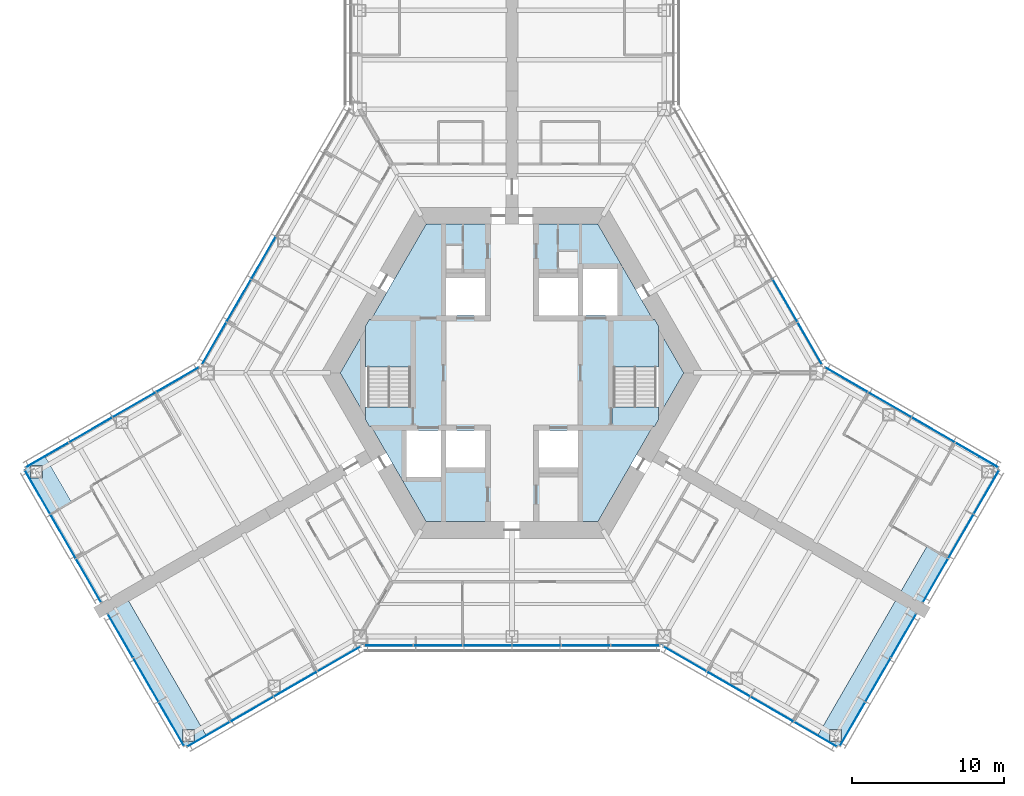
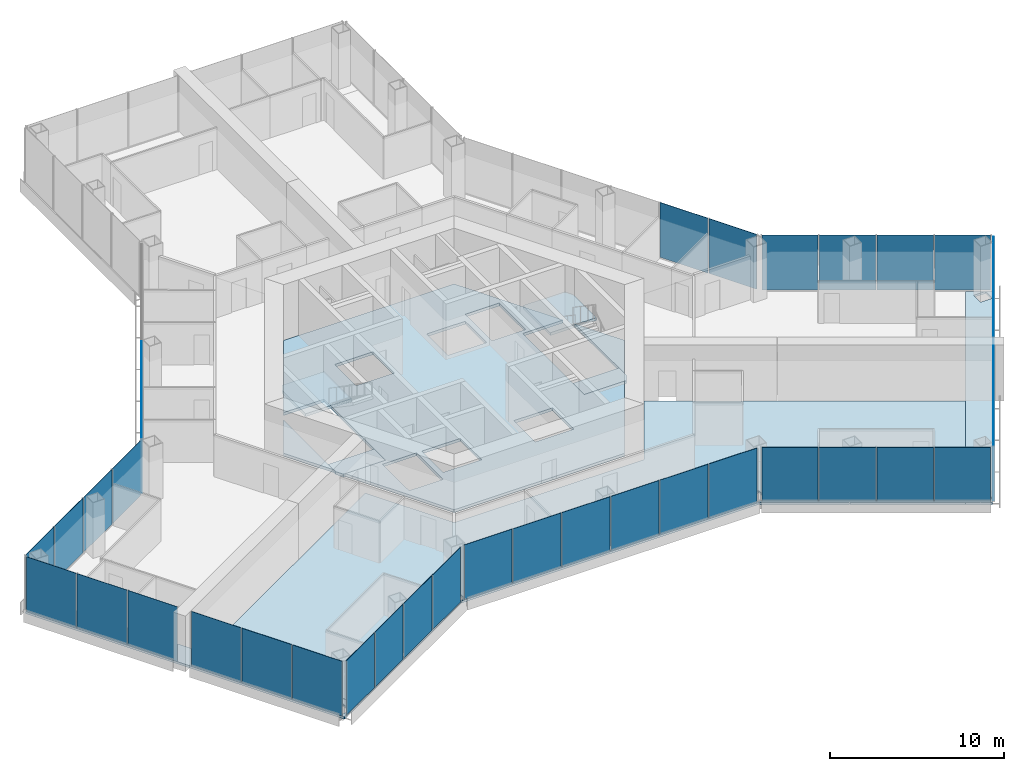
# One storey, part 10 of 19: 39 plates, 10 slabs, 13 elements without a shape of their own.
"""IFC4 building model written with IfcOpenShell, lengths in metres."""

from ifc_helpers import new_model, si_unit, direction, frame, origin, origin_2d, place, context, subcontext, project, spatial, polyline, rectangle, outline, extrude, material, layer, layer_set, type_object, element, aggregate, save


model = new_model("IFC4")

# Units and contexts
model_context = context("Model", 3, precision=1e-05, world=origin(), true_north=direction((0.0, 1.0)))
body_context = subcontext(model_context, "Body", "Model", "MODEL_VIEW")
ifc_project = project(units=[si_unit("LENGTHUNIT", "METRE"), si_unit("AREAUNIT", "SQUARE_METRE"), si_unit("VOLUMEUNIT", "CUBIC_METRE"), si_unit("PLANEANGLEUNIT", "RADIAN"), si_unit("MASSUNIT", "GRAM", prefix="KILO")], contexts=[model_context])

# Site, building, storey
site_placement = place(None, origin())
site = spatial("IfcSite", under=ifc_project, at=site_placement, CompositionType="ELEMENT")
building_placement = place(site_placement, origin())
building = spatial("IfcBuilding", under=site, at=building_placement, Name="Kasaneha Research Tower", CompositionType="ELEMENT")
storey_placement = place(building_placement, frame((0.0, 0.0, 100.199951171875)))
storey = spatial("IfcBuildingStorey", under=building, at=storey_placement, Name="L25", CompositionType="ELEMENT", Elevation=100.199951171875)

# Curtain wall, plates
ifc_material_1 = material(Name="Glass and aluminium", Category="aluminium")
curtain_wall_type = type_object("IfcCurtainWallType", Name="Low-rise office curtain wall", PredefinedType="USERDEFINED", material=ifc_material_1)
curtain_wall_1_placement = place(storey_placement, origin())
curtain_wall_1 = element("IfcCurtainWall", 1, at=curtain_wall_1_placement, inside=storey, type_object=curtain_wall_type, Name="CW-O1 L25 run 01a", ObjectType="UNITISED CURTAIN WALL", PredefinedType="USERDEFINED")
ifc_material_2 = material(Name="Laminated double glazing", Category="glass")
ifc_layer_1 = layer(ifc_material_2, 0.028076171875)
ifc_layer_set_1 = layer_set([ifc_layer_1], Name="CW-O1 glazed panel")
plate_type = type_object("IfcPlateType", Name="CW-O1 glazed panel", PredefinedType="CURTAIN_PANEL", material=ifc_layer_set_1)
plate_1_placement = place(storey_placement, frame((-19.945068359375, -23.755126953125, 0.06005859375), z_axis=(0.0, 0.0, 1.0), x_axis=(0.866025411464, 0.499999986699, 0.0)))
plate_1 = element("IfcPlate", 2, at=plate_1_placement, type_object=plate_type, Name="CW-O1 panel 1", PredefinedType="CURTAIN_PANEL", context=body_context, shape_type="SweptSolid", body=[
    extrude(rectangle(XDim=3.2197265625, YDim=0.028076171875, at=origin_2d()), origin(), (0.0, 0.0, 1.0), 3.840087890625),
])
plate_2_placement = place(storey_placement, frame((-17.091796875, -22.107666015625, 0.06005859375), z_axis=(0.0, 0.0, 1.0), x_axis=(0.866025411464, 0.499999986699, 0.0)))
plate_2 = element("IfcPlate", 3, at=plate_2_placement, type_object=plate_type, Name="CW-O1 panel 2", PredefinedType="CURTAIN_PANEL", context=body_context, shape_type="SweptSolid", body=[
    extrude(rectangle(XDim=3.249755859375, YDim=0.028076171875, at=origin_2d()), origin(), (0.0, 0.0, 1.0), 3.840087890625),
])
plate_3_placement = place(storey_placement, frame((-14.225341796875, -20.452880859375, 0.06005859375), z_axis=(0.0, 0.0, 1.0), x_axis=(0.866025411464, 0.499999986699, 0.0)))
plate_3 = element("IfcPlate", 4, at=plate_3_placement, type_object=plate_type, Name="CW-O1 panel 3", PredefinedType="CURTAIN_PANEL", context=body_context, shape_type="SweptSolid", body=[
    extrude(rectangle(XDim=3.249755859375, YDim=0.028076171875, at=origin_2d()), origin(), (0.0, 0.0, 1.0), 3.840087890625),
])
plate_4_placement = place(storey_placement, frame((-11.3720703125, -18.805419921875, 0.06005859375), z_axis=(0.0, 0.0, 1.0), x_axis=(0.866025411464, 0.499999986699, 0.0)))
plate_4 = element("IfcPlate", 5, at=plate_4_placement, type_object=plate_type, Name="CW-O1 panel 4", PredefinedType="CURTAIN_PANEL", context=body_context, shape_type="SweptSolid", body=[
    extrude(rectangle(XDim=3.2197265625, YDim=0.028076171875, at=origin_2d()), origin(), (0.0, 0.0, 1.0), 3.840087890625),
])
aggregate(curtain_wall_1, [plate_1, plate_2, plate_3, plate_4])

curtain_wall_2_placement = place(storey_placement, origin())
curtain_wall_2 = element("IfcCurtainWall", 6, at=curtain_wall_2_placement, inside=storey, type_object=curtain_wall_type, Name="CW-O1 L25 run 02a", ObjectType="UNITISED CURTAIN WALL", PredefinedType="USERDEFINED")
plate_5_placement = place(storey_placement, frame((-8.10107421875, -17.92041015625, 0.06005859375), z_axis=(0.0, 0.0, 1.0), x_axis=(1.0, 0.0, 0.0)))
plate_5 = element("IfcPlate", 7, at=plate_5_placement, type_object=plate_type, Name="CW-O1 panel 1", PredefinedType="CURTAIN_PANEL", context=body_context, shape_type="SweptSolid", body=[
    extrude(rectangle(XDim=3.156494140625, YDim=0.028076171875, at=origin_2d()), origin(), (0.0, 0.0, 1.0), 3.840087890625),
])
plate_6_placement = place(storey_placement, frame((-4.86962890625, -17.92041015625, 0.06005859375), z_axis=(0.0, 0.0, 1.0), x_axis=(1.0, 0.0, 0.0)))
plate_6 = element("IfcPlate", 8, at=plate_6_placement, type_object=plate_type, Name="CW-O1 panel 2", PredefinedType="CURTAIN_PANEL", context=body_context, shape_type="SweptSolid", body=[
    extrude(rectangle(XDim=3.1865234375, YDim=0.028076171875, at=origin_2d()), origin(), (0.0, 0.0, 1.0), 3.840087890625),
])
plate_7_placement = place(storey_placement, frame((-1.623291015625, -17.92041015625, 0.06005859375), z_axis=(0.0, 0.0, 1.0), x_axis=(1.0, 0.0, 0.0)))
plate_7 = element("IfcPlate", 9, at=plate_7_placement, type_object=plate_type, Name="CW-O1 panel 3", PredefinedType="CURTAIN_PANEL", context=body_context, shape_type="SweptSolid", body=[
    extrude(rectangle(XDim=3.1865234375, YDim=0.028076171875, at=origin_2d()), origin(), (0.0, 0.0, 1.0), 3.840087890625),
])
plate_8_placement = place(storey_placement, frame((1.623291015625, -17.92041015625, 0.06005859375), z_axis=(0.0, 0.0, 1.0), x_axis=(1.0, 0.0, 0.0)))
plate_8 = element("IfcPlate", 10, at=plate_8_placement, type_object=plate_type, Name="CW-O1 panel 4", PredefinedType="CURTAIN_PANEL", context=body_context, shape_type="SweptSolid", body=[
    extrude(rectangle(XDim=3.1865234375, YDim=0.028076171875, at=origin_2d()), origin(), (0.0, 0.0, 1.0), 3.840087890625),
])
plate_9_placement = place(storey_placement, frame((4.86962890625, -17.92041015625, 0.06005859375), z_axis=(0.0, 0.0, 1.0), x_axis=(1.0, 0.0, 0.0)))
plate_9 = element("IfcPlate", 11, at=plate_9_placement, type_object=plate_type, Name="CW-O1 panel 5", PredefinedType="CURTAIN_PANEL", context=body_context, shape_type="SweptSolid", body=[
    extrude(rectangle(XDim=3.1865234375, YDim=0.028076171875, at=origin_2d()), origin(), (0.0, 0.0, 1.0), 3.840087890625),
])
plate_10_placement = place(storey_placement, frame((8.10107421875, -17.92041015625, 0.06005859375), z_axis=(0.0, 0.0, 1.0), x_axis=(1.0, 0.0, 0.0)))
plate_10 = element("IfcPlate", 12, at=plate_10_placement, type_object=plate_type, Name="CW-O1 panel 6", PredefinedType="CURTAIN_PANEL", context=body_context, shape_type="SweptSolid", body=[
    extrude(rectangle(XDim=3.156494140625, YDim=0.028076171875, at=origin_2d()), origin(), (0.0, 0.0, 1.0), 3.840087890625),
])
aggregate(curtain_wall_2, [plate_5, plate_6, plate_7, plate_8, plate_9, plate_10])

curtain_wall_3_placement = place(storey_placement, origin())
curtain_wall_3 = element("IfcCurtainWall", 13, at=curtain_wall_3_placement, inside=storey, type_object=curtain_wall_type, Name="CW-O1 L25 run 03a", ObjectType="UNITISED CURTAIN WALL", PredefinedType="USERDEFINED")
plate_11_placement = place(storey_placement, frame((11.3720703125, -18.805419921875, 0.06005859375), z_axis=(0.0, 0.0, 1.0), x_axis=(0.866025411464, -0.499999986699, 0.0)))
plate_11 = element("IfcPlate", 14, at=plate_11_placement, type_object=plate_type, Name="CW-O1 panel 1", PredefinedType="CURTAIN_PANEL", context=body_context, shape_type="SweptSolid", body=[
    extrude(rectangle(XDim=3.2197265625, YDim=0.028076171875, at=origin_2d()), origin(), (0.0, 0.0, 1.0), 3.840087890625),
])
plate_12_placement = place(storey_placement, frame((14.225341796875, -20.452880859375, 0.06005859375), z_axis=(0.0, 0.0, 1.0), x_axis=(0.866025411464, -0.499999986699, 0.0)))
plate_12 = element("IfcPlate", 15, at=plate_12_placement, type_object=plate_type, Name="CW-O1 panel 2", PredefinedType="CURTAIN_PANEL", context=body_context, shape_type="SweptSolid", body=[
    extrude(rectangle(XDim=3.249755859375, YDim=0.028076171875, at=origin_2d()), origin(), (0.0, 0.0, 1.0), 3.840087890625),
])
plate_13_placement = place(storey_placement, frame((17.091796875, -22.107666015625, 0.06005859375), z_axis=(0.0, 0.0, 1.0), x_axis=(0.866025411464, -0.499999986699, 0.0)))
plate_13 = element("IfcPlate", 16, at=plate_13_placement, type_object=plate_type, Name="CW-O1 panel 3", PredefinedType="CURTAIN_PANEL", context=body_context, shape_type="SweptSolid", body=[
    extrude(rectangle(XDim=3.249755859375, YDim=0.028076171875, at=origin_2d()), origin(), (0.0, 0.0, 1.0), 3.840087890625),
])
plate_14_placement = place(storey_placement, frame((19.945068359375, -23.755126953125, 0.06005859375), z_axis=(0.0, 0.0, 1.0), x_axis=(0.866025411464, -0.499999986699, 0.0)))
plate_14 = element("IfcPlate", 17, at=plate_14_placement, type_object=plate_type, Name="CW-O1 panel 4", PredefinedType="CURTAIN_PANEL", context=body_context, shape_type="SweptSolid", body=[
    extrude(rectangle(XDim=3.2197265625, YDim=0.028076171875, at=origin_2d()), origin(), (0.0, 0.0, 1.0), 3.840087890625),
])
aggregate(curtain_wall_3, [plate_11, plate_12, plate_13, plate_14])

curtain_wall_4_placement = place(storey_placement, origin())
curtain_wall_4 = element("IfcCurtainWall", 18, at=curtain_wall_4_placement, inside=storey, type_object=curtain_wall_type, Name="CW-O1 L25 run 04a", ObjectType="UNITISED CURTAIN WALL", PredefinedType="USERDEFINED")
plate_15_placement = place(storey_placement, frame((22.377197265625, -23.082763671875, 0.06005859375), z_axis=(0.0, 0.0, 1.0), x_axis=(0.500000011442, 0.866025397178, 0.0)))
plate_15 = element("IfcPlate", 19, at=plate_15_placement, type_object=plate_type, Name="CW-O1 panel 1", PredefinedType="CURTAIN_PANEL", context=body_context, shape_type="SweptSolid", body=[
    extrude(rectangle(XDim=3.276611328125, YDim=0.028076171875, at=origin_2d()), origin(), (0.0, 0.0, 1.0), 3.840087890625),
])
plate_16_placement = place(storey_placement, frame((24.052978515625, -20.18017578125, 0.06005859375), z_axis=(0.0, 0.0, 1.0), x_axis=(0.500000011442, 0.866025397178, 0.0)))
plate_16 = element("IfcPlate", 20, at=plate_16_placement, type_object=plate_type, Name="CW-O1 panel 2", PredefinedType="CURTAIN_PANEL", context=body_context, shape_type="SweptSolid", body=[
    extrude(rectangle(XDim=3.306640625, YDim=0.028076171875, at=origin_2d()), origin(), (0.0, 0.0, 1.0), 3.840087890625),
])
plate_17_placement = place(storey_placement, frame((25.728759765625, -17.27734375, 0.06005859375), z_axis=(0.0, 0.0, 1.0), x_axis=(0.500000011442, 0.866025397178, 0.0)))
plate_17 = element("IfcPlate", 21, at=plate_17_placement, type_object=plate_type, Name="CW-O1 panel 3", PredefinedType="CURTAIN_PANEL", context=body_context, shape_type="SweptSolid", body=[
    extrude(rectangle(XDim=3.276611328125, YDim=0.028076171875, at=origin_2d()), origin(), (0.0, 0.0, 1.0), 3.840087890625),
])
aggregate(curtain_wall_4, [plate_15, plate_16, plate_17])

curtain_wall_5_placement = place(storey_placement, origin())
curtain_wall_5 = element("IfcCurtainWall", 22, at=curtain_wall_5_placement, inside=storey, type_object=curtain_wall_type, Name="CW-O1 L25 run 05a", ObjectType="UNITISED CURTAIN WALL", PredefinedType="USERDEFINED")
plate_18_placement = place(storey_placement, frame((27.8271484375, -13.64306640625, 0.06005859375), z_axis=(0.0, 0.0, 1.0), x_axis=(0.500000011442, 0.866025397178, 0.0)))
plate_18 = element("IfcPlate", 23, at=plate_18_placement, type_object=plate_type, Name="CW-O1 panel 1", PredefinedType="CURTAIN_PANEL", context=body_context, shape_type="SweptSolid", body=[
    extrude(rectangle(XDim=3.276611328125, YDim=0.028076171875, at=origin_2d()), origin(), (0.0, 0.0, 1.0), 3.840087890625),
])
plate_19_placement = place(storey_placement, frame((29.5029296875, -10.740478515625, 0.06005859375), z_axis=(0.0, 0.0, 1.0), x_axis=(0.500000011442, 0.866025397178, 0.0)))
plate_19 = element("IfcPlate", 24, at=plate_19_placement, type_object=plate_type, Name="CW-O1 panel 2", PredefinedType="CURTAIN_PANEL", context=body_context, shape_type="SweptSolid", body=[
    extrude(rectangle(XDim=3.306640625, YDim=0.028076171875, at=origin_2d()), origin(), (0.0, 0.0, 1.0), 3.840087890625),
])
plate_20_placement = place(storey_placement, frame((31.1787109375, -7.837890625, 0.06005859375), z_axis=(0.0, 0.0, 1.0), x_axis=(0.500000011442, 0.866025397178, 0.0)))
plate_20 = element("IfcPlate", 25, at=plate_20_placement, type_object=plate_type, Name="CW-O1 panel 3", PredefinedType="CURTAIN_PANEL", context=body_context, shape_type="SweptSolid", body=[
    extrude(rectangle(XDim=3.276611328125, YDim=0.028076171875, at=origin_2d()), origin(), (0.0, 0.0, 1.0), 3.840087890625),
])
aggregate(curtain_wall_5, [plate_18, plate_19, plate_20])

curtain_wall_6_placement = place(storey_placement, origin())
curtain_wall_6 = element("IfcCurtainWall", 26, at=curtain_wall_6_placement, inside=storey, type_object=curtain_wall_type, Name="CW-O1 L25 run 06a", ObjectType="UNITISED CURTAIN WALL", PredefinedType="USERDEFINED")
plate_21_placement = place(storey_placement, frame((30.545166015625, -5.3955078125, 0.06005859375), z_axis=(0.0, 0.0, 1.0), x_axis=(-0.866025411464, 0.499999986699, 0.0)))
plate_21 = element("IfcPlate", 27, at=plate_21_placement, type_object=plate_type, Name="CW-O1 panel 1", PredefinedType="CURTAIN_PANEL", context=body_context, shape_type="SweptSolid", body=[
    extrude(rectangle(XDim=3.2197265625, YDim=0.028076171875, at=origin_2d()), origin(), (0.0, 0.0, 1.0), 3.840087890625),
])
plate_22_placement = place(storey_placement, frame((27.69189453125, -3.748046875, 0.06005859375), z_axis=(0.0, 0.0, 1.0), x_axis=(-0.866025411464, 0.499999986699, 0.0)))
plate_22 = element("IfcPlate", 28, at=plate_22_placement, type_object=plate_type, Name="CW-O1 panel 2", PredefinedType="CURTAIN_PANEL", context=body_context, shape_type="SweptSolid", body=[
    extrude(rectangle(XDim=3.249755859375, YDim=0.028076171875, at=origin_2d()), origin(), (0.0, 0.0, 1.0), 3.840087890625),
])
plate_23_placement = place(storey_placement, frame((24.825439453125, -2.093017578125, 0.06005859375), z_axis=(0.0, 0.0, 1.0), x_axis=(-0.866025411464, 0.499999986699, 0.0)))
plate_23 = element("IfcPlate", 29, at=plate_23_placement, type_object=plate_type, Name="CW-O1 panel 3", PredefinedType="CURTAIN_PANEL", context=body_context, shape_type="SweptSolid", body=[
    extrude(rectangle(XDim=3.249755859375, YDim=0.028076171875, at=origin_2d()), origin(), (0.0, 0.0, 1.0), 3.840087890625),
])
plate_24_placement = place(storey_placement, frame((21.971923828125, -0.44580078125, 0.06005859375), z_axis=(0.0, 0.0, 1.0), x_axis=(-0.866025411464, 0.499999986699, 0.0)))
plate_24 = element("IfcPlate", 30, at=plate_24_placement, type_object=plate_type, Name="CW-O1 panel 4", PredefinedType="CURTAIN_PANEL", context=body_context, shape_type="SweptSolid", body=[
    extrude(rectangle(XDim=3.2197265625, YDim=0.028076171875, at=origin_2d()), origin(), (0.0, 0.0, 1.0), 3.840087890625),
])
aggregate(curtain_wall_6, [plate_21, plate_22, plate_23, plate_24])

curtain_wall_7_placement = place(storey_placement, origin())
curtain_wall_7 = element("IfcCurtainWall", 31, at=curtain_wall_7_placement, inside=storey, type_object=curtain_wall_type, Name="CW-O1 L25 run 07a", ObjectType="UNITISED CURTAIN WALL", PredefinedType="USERDEFINED")
plate_25_placement = place(storey_placement, frame((19.570068359375, 1.944580078125, 0.06005859375), z_axis=(0.0, 0.0, 1.0), x_axis=(-0.49999996188, 0.866025425793, 0.0)))
plate_25 = element("IfcPlate", 32, at=plate_25_placement, type_object=plate_type, Name="CW-O1 panel 1", PredefinedType="CURTAIN_PANEL", context=body_context, shape_type="SweptSolid", body=[
    extrude(rectangle(XDim=3.156494140625, YDim=0.028076171875, at=origin_2d()), origin(), (0.0, 0.0, 1.0), 3.840087890625),
])
plate_26_placement = place(storey_placement, frame((17.954345703125, 4.7431640625, 0.06005859375), z_axis=(0.0, 0.0, 1.0), x_axis=(-0.49999996188, 0.866025425793, 0.0)))
plate_26 = element("IfcPlate", 33, at=plate_26_placement, type_object=plate_type, Name="CW-O1 panel 2", PredefinedType="CURTAIN_PANEL", context=body_context, shape_type="SweptSolid", body=[
    extrude(rectangle(XDim=3.1865234375, YDim=0.028076171875, at=origin_2d()), origin(), (0.0, 0.0, 1.0), 3.840087890625),
])
aggregate(curtain_wall_7, [plate_25, plate_26])

curtain_wall_8_placement = place(storey_placement, origin())
curtain_wall_8 = element("IfcCurtainWall", 34, at=curtain_wall_8_placement, inside=storey, type_object=curtain_wall_type, Name="CW-O1 L25 run 12a", ObjectType="UNITISED CURTAIN WALL", PredefinedType="USERDEFINED")
plate_27_placement = place(storey_placement, frame((-16.331298828125, 7.554443359375, 0.06005859375), z_axis=(0.0, 0.0, 1.0), x_axis=(-0.49999996188, -0.866025425793, 0.0)))
plate_27 = element("IfcPlate", 35, at=plate_27_placement, type_object=plate_type, Name="CW-O1 panel 4", PredefinedType="CURTAIN_PANEL", context=body_context, shape_type="SweptSolid", body=[
    extrude(rectangle(XDim=3.1865234375, YDim=0.028076171875, at=origin_2d()), origin(), (0.0, 0.0, 1.0), 3.840087890625),
])
plate_28_placement = place(storey_placement, frame((-17.954345703125, 4.7431640625, 0.06005859375), z_axis=(0.0, 0.0, 1.0), x_axis=(-0.49999996188, -0.866025425793, 0.0)))
plate_28 = element("IfcPlate", 36, at=plate_28_placement, type_object=plate_type, Name="CW-O1 panel 5", PredefinedType="CURTAIN_PANEL", context=body_context, shape_type="SweptSolid", body=[
    extrude(rectangle(XDim=3.1865234375, YDim=0.028076171875, at=origin_2d()), origin(), (0.0, 0.0, 1.0), 3.840087890625),
])
plate_29_placement = place(storey_placement, frame((-19.570068359375, 1.944580078125, 0.06005859375), z_axis=(0.0, 0.0, 1.0), x_axis=(-0.49999996188, -0.866025425793, 0.0)))
plate_29 = element("IfcPlate", 37, at=plate_29_placement, type_object=plate_type, Name="CW-O1 panel 6", PredefinedType="CURTAIN_PANEL", context=body_context, shape_type="SweptSolid", body=[
    extrude(rectangle(XDim=3.156494140625, YDim=0.028076171875, at=origin_2d()), origin(), (0.0, 0.0, 1.0), 3.840087890625),
])
aggregate(curtain_wall_8, [plate_27, plate_28, plate_29])

curtain_wall_9_placement = place(storey_placement, origin())
curtain_wall_9 = element("IfcCurtainWall", 38, at=curtain_wall_9_placement, inside=storey, type_object=curtain_wall_type, Name="CW-O1 L25 run 13a", ObjectType="UNITISED CURTAIN WALL", PredefinedType="USERDEFINED")
plate_30_placement = place(storey_placement, frame((-21.971923828125, -0.44580078125, 0.06005859375), z_axis=(0.0, 0.0, 1.0), x_axis=(-0.866025411464, -0.499999986699, 0.0)))
plate_30 = element("IfcPlate", 39, at=plate_30_placement, type_object=plate_type, Name="CW-O1 panel 1", PredefinedType="CURTAIN_PANEL", context=body_context, shape_type="SweptSolid", body=[
    extrude(rectangle(XDim=3.2197265625, YDim=0.028076171875, at=origin_2d()), origin(), (0.0, 0.0, 1.0), 3.840087890625),
])
plate_31_placement = place(storey_placement, frame((-24.825439453125, -2.093017578125, 0.06005859375), z_axis=(0.0, 0.0, 1.0), x_axis=(-0.866025411464, -0.499999986699, 0.0)))
plate_31 = element("IfcPlate", 40, at=plate_31_placement, type_object=plate_type, Name="CW-O1 panel 2", PredefinedType="CURTAIN_PANEL", context=body_context, shape_type="SweptSolid", body=[
    extrude(rectangle(XDim=3.249755859375, YDim=0.028076171875, at=origin_2d()), origin(), (0.0, 0.0, 1.0), 3.840087890625),
])
plate_32_placement = place(storey_placement, frame((-27.69189453125, -3.748046875, 0.06005859375), z_axis=(0.0, 0.0, 1.0), x_axis=(-0.866025411464, -0.499999986699, 0.0)))
plate_32 = element("IfcPlate", 41, at=plate_32_placement, type_object=plate_type, Name="CW-O1 panel 3", PredefinedType="CURTAIN_PANEL", context=body_context, shape_type="SweptSolid", body=[
    extrude(rectangle(XDim=3.249755859375, YDim=0.028076171875, at=origin_2d()), origin(), (0.0, 0.0, 1.0), 3.840087890625),
])
plate_33_placement = place(storey_placement, frame((-30.545166015625, -5.3955078125, 0.06005859375), z_axis=(0.0, 0.0, 1.0), x_axis=(-0.866025411464, -0.499999986699, 0.0)))
plate_33 = element("IfcPlate", 42, at=plate_33_placement, type_object=plate_type, Name="CW-O1 panel 4", PredefinedType="CURTAIN_PANEL", context=body_context, shape_type="SweptSolid", body=[
    extrude(rectangle(XDim=3.2197265625, YDim=0.028076171875, at=origin_2d()), origin(), (0.0, 0.0, 1.0), 3.840087890625),
])
aggregate(curtain_wall_9, [plate_30, plate_31, plate_32, plate_33])

curtain_wall_10_placement = place(storey_placement, origin())
curtain_wall_10 = element("IfcCurtainWall", 43, at=curtain_wall_10_placement, inside=storey, type_object=curtain_wall_type, Name="CW-O1 L25 run 14a", ObjectType="UNITISED CURTAIN WALL", PredefinedType="USERDEFINED")
plate_34_placement = place(storey_placement, frame((-31.1787109375, -7.837890625, 0.06005859375), z_axis=(0.0, 0.0, 1.0), x_axis=(0.500000011442, -0.866025397178, 0.0)))
plate_34 = element("IfcPlate", 44, at=plate_34_placement, type_object=plate_type, Name="CW-O1 panel 1", PredefinedType="CURTAIN_PANEL", context=body_context, shape_type="SweptSolid", body=[
    extrude(rectangle(XDim=3.276611328125, YDim=0.028076171875, at=origin_2d()), origin(), (0.0, 0.0, 1.0), 3.840087890625),
])
plate_35_placement = place(storey_placement, frame((-29.5029296875, -10.740478515625, 0.06005859375), z_axis=(0.0, 0.0, 1.0), x_axis=(0.500000011442, -0.866025397178, 0.0)))
plate_35 = element("IfcPlate", 45, at=plate_35_placement, type_object=plate_type, Name="CW-O1 panel 2", PredefinedType="CURTAIN_PANEL", context=body_context, shape_type="SweptSolid", body=[
    extrude(rectangle(XDim=3.306640625, YDim=0.028076171875, at=origin_2d()), origin(), (0.0, 0.0, 1.0), 3.840087890625),
])
plate_36_placement = place(storey_placement, frame((-27.8271484375, -13.64306640625, 0.06005859375), z_axis=(0.0, 0.0, 1.0), x_axis=(0.500000011442, -0.866025397178, 0.0)))
plate_36 = element("IfcPlate", 46, at=plate_36_placement, type_object=plate_type, Name="CW-O1 panel 3", PredefinedType="CURTAIN_PANEL", context=body_context, shape_type="SweptSolid", body=[
    extrude(rectangle(XDim=3.276611328125, YDim=0.028076171875, at=origin_2d()), origin(), (0.0, 0.0, 1.0), 3.840087890625),
])
aggregate(curtain_wall_10, [plate_34, plate_35, plate_36])

curtain_wall_11_placement = place(storey_placement, origin())
curtain_wall_11 = element("IfcCurtainWall", 47, at=curtain_wall_11_placement, inside=storey, type_object=curtain_wall_type, Name="CW-O1 L25 run 15a", ObjectType="UNITISED CURTAIN WALL", PredefinedType="USERDEFINED")
plate_37_placement = place(storey_placement, frame((-25.728759765625, -17.27734375, 0.06005859375), z_axis=(0.0, 0.0, 1.0), x_axis=(0.500000011442, -0.866025397178, 0.0)))
plate_37 = element("IfcPlate", 48, at=plate_37_placement, type_object=plate_type, Name="CW-O1 panel 1", PredefinedType="CURTAIN_PANEL", context=body_context, shape_type="SweptSolid", body=[
    extrude(rectangle(XDim=3.276611328125, YDim=0.028076171875, at=origin_2d()), origin(), (0.0, 0.0, 1.0), 3.840087890625),
])
plate_38_placement = place(storey_placement, frame((-24.052978515625, -20.18017578125, 0.06005859375), z_axis=(0.0, 0.0, 1.0), x_axis=(0.500000011442, -0.866025397178, 0.0)))
plate_38 = element("IfcPlate", 49, at=plate_38_placement, type_object=plate_type, Name="CW-O1 panel 2", PredefinedType="CURTAIN_PANEL", context=body_context, shape_type="SweptSolid", body=[
    extrude(rectangle(XDim=3.306640625, YDim=0.028076171875, at=origin_2d()), origin(), (0.0, 0.0, 1.0), 3.840087890625),
])
plate_39_placement = place(storey_placement, frame((-22.377197265625, -23.082763671875, 0.06005859375), z_axis=(0.0, 0.0, 1.0), x_axis=(0.500000011442, -0.866025397178, 0.0)))
plate_39 = element("IfcPlate", 50, at=plate_39_placement, type_object=plate_type, Name="CW-O1 panel 3", PredefinedType="CURTAIN_PANEL", context=body_context, shape_type="SweptSolid", body=[
    extrude(rectangle(XDim=3.276611328125, YDim=0.028076171875, at=origin_2d()), origin(), (0.0, 0.0, 1.0), 3.840087890625),
])
aggregate(curtain_wall_11, [plate_37, plate_38, plate_39])

# Slabs
ifc_material_3 = material(Name="Concrete Fc24", Category="concrete")
ifc_layer_2 = layer(ifc_material_3, 0.199951171875)
ifc_layer_set_2 = layer_set([ifc_layer_2], Name="Core floor slab 200")
slab_type_1 = type_object("IfcSlabType", Name="Core floor slab 200", PredefinedType="FLOOR", material=ifc_layer_set_2)
slab_1_placement = place(storey_placement, frame((0.0, 0.0, -0.199951171875)))
element("IfcSlab", 51, at=slab_1_placement, inside=storey, type_object=slab_type_1, Name="Core slab L25", PredefinedType="FLOOR", context=body_context, shape_type="SweptSolid", body=[
    extrude(outline(polyline([(-11.287109375, 0.0), (-9.625, 2.87890625), (-9.625, -2.87890625), (-11.287109375, 0.0)])), origin(), (0.0, 0.0, 1.0), 0.199951171875),
])
slab_2_placement = place(storey_placement, frame((0.0, 0.0, -0.199951171875)))
element("IfcSlab", 52, at=slab_2_placement, inside=storey, type_object=slab_type_1, Name="Core slab L25", PredefinedType="FLOOR", context=body_context, shape_type="SweptSolid", body=[
    extrude(outline(polyline([(-5.6435546875, 9.77490234375), (5.6435546875, 9.77490234375), (9.251953125, 3.52490234375), (6.574951171875, 3.52490234375), (6.574951171875, -3.52490234375), (9.251953125, -3.52490234375), (5.6435546875, -9.77490234375), (-5.6435546875, -9.77490234375), (-9.251953125, -3.52490234375), (-6.574951171875, -3.52490234375), (-6.574951171875, 3.52490234375), (-9.251953125, 3.52490234375), (-5.6435546875, 9.77490234375)]), holes=[polyline([(-6.925048828125, -3.77490234375), (-6.925048828125, -6.824951171875), (-4.675048828125, -6.824951171875), (-4.675048828125, -3.77490234375), (-6.925048828125, -3.77490234375)]), polyline([(-4.324951171875, -3.77490234375), (-4.324951171875, -6.22509765625), (-1.77490234375, -6.22509765625), (-1.77490234375, -3.77490234375), (-4.324951171875, -3.77490234375)]), polyline([(1.77490234375, -3.77490234375), (1.77490234375, -6.22509765625), (4.324951171875, -6.22509765625), (4.324951171875, -3.77490234375), (1.77490234375, -3.77490234375)]), polyline([(-4.324951171875, 6.22509765625), (-4.324951171875, 3.77490234375), (-1.77490234375, 3.77490234375), (-1.77490234375, 6.22509765625), (-4.324951171875, 6.22509765625)]), polyline([(1.77490234375, 6.22509765625), (1.77490234375, 3.77490234375), (4.324951171875, 3.77490234375), (4.324951171875, 6.22509765625), (1.77490234375, 6.22509765625)]), polyline([(4.675048828125, 6.824951171875), (4.675048828125, 3.77490234375), (6.925048828125, 3.77490234375), (6.925048828125, 6.824951171875), (4.675048828125, 6.824951171875)])]), origin(), (0.0, 0.0, 1.0), 0.199951171875),
])
slab_3_placement = place(storey_placement, frame((0.0, 0.0, -0.199951171875)))
element("IfcSlab", 53, at=slab_3_placement, inside=storey, type_object=slab_type_1, Name="Core slab L25", PredefinedType="FLOOR", context=body_context, shape_type="SweptSolid", body=[
    extrude(outline(polyline([(11.287109375, 0.0), (9.625, -2.87890625), (9.625, 2.87890625), (11.287109375, 0.0)])), origin(), (0.0, 0.0, 1.0), 0.199951171875),
])
ifc_material_4 = material(Name="Concrete Fc24", Category="concrete")
ifc_layer_3 = layer(ifc_material_4, 0.14990234375)
ifc_layer_set_3 = layer_set([ifc_layer_3], Name="Floor slab 150")
slab_type_2 = type_object("IfcSlabType", Name="Floor slab 150", PredefinedType="FLOOR", material=ifc_layer_set_3)
slab_4_placement = place(storey_placement, frame((0.0, 0.0, -0.14990234375)))
element("IfcSlab", 54, at=slab_4_placement, inside=storey, type_object=slab_type_2, Name="Floor slab L25 1", PredefinedType="FLOOR", context=body_context, shape_type="SweptSolid", body=[
    extrude(outline(polyline([(-25.1923828125, -15.006591796875), (-25.18359375, -15.001708984375), (-20.108642578125, -23.791748046875), (-21.459716796875, -24.57177734375), (-21.65576171875, -24.232177734375), (-21.644287109375, -24.220703125), (-20.858154296875, -24.220703125), (-20.858154296875, -23.42041015625), (-21.658447265625, -23.42041015625), (-21.658447265625, -24.20654296875), (-21.666015625, -24.214111328125), (-31.65576171875, -6.91162109375), (-31.644287109375, -6.900146484375), (-30.858154296875, -6.900146484375), (-30.858154296875, -6.099853515625), (-31.658447265625, -6.099853515625), (-31.658447265625, -6.885986328125), (-31.666015625, -6.8935546875), (-32.009521484375, -6.298583984375), (-30.65869140625, -5.518798828125), (-25.583740234375, -14.308837890625), (-25.59228515625, -14.313720703125), (-25.1923828125, -15.006591796875)])), origin(), (0.0, 0.0, 1.0), 0.14990234375),
])
slab_5_placement = place(storey_placement, frame((0.0, 0.0, -0.14990234375)))
element("IfcSlab", 55, at=slab_5_placement, inside=storey, type_object=slab_type_2, Name="Floor slab L25 4", PredefinedType="FLOOR", context=body_context, shape_type="SweptSolid", body=[
    extrude(outline(polyline([(-6.278564453125, -10.875), (6.278564453125, -10.875), (9.218017578125, -5.783935546875), (25.18359375, -15.001708984375), (20.108642578125, -23.791748046875), (14.369384765625, -20.478271484375), (14.377197265625, -20.470703125), (15.163330078125, -20.470703125), (15.163330078125, -19.67041015625), (14.363037109375, -19.67041015625), (14.363037109375, -20.45654296875), (14.3515625, -20.468017578125), (9.8525390625, -17.87060546875), (-9.8525390625, -17.87060546875), (-15.217529296875, -20.968017578125), (-15.22900390625, -20.95654296875), (-15.22900390625, -20.17041015625), (-16.029296875, -20.17041015625), (-16.029296875, -20.970703125), (-15.2431640625, -20.970703125), (-15.235595703125, -20.978271484375), (-20.108642578125, -23.791748046875), (-25.18359375, -15.001708984375), (-9.218017578125, -5.783935546875), (-6.278564453125, -10.875)]), holes=[polyline([(0.39990234375, -17.720458984375), (0.39990234375, -16.92041015625), (-0.39990234375, -16.92041015625), (-0.39990234375, -17.720458984375), (0.39990234375, -17.720458984375)]), polyline([(-9.550048828125, -16.87060546875), (-10.449951171875, -16.87060546875), (-10.449951171875, -17.7705078125), (-9.550048828125, -17.7705078125), (-9.550048828125, -16.87060546875)]), polyline([(10.449951171875, -16.87060546875), (9.550048828125, -16.87060546875), (9.550048828125, -17.7705078125), (10.449951171875, -17.7705078125), (10.449951171875, -16.87060546875)])]), origin(), (0.0, 0.0, 1.0), 0.14990234375),
])
slab_6_placement = place(storey_placement, frame((0.0, 0.0, -0.14990234375)))
element("IfcSlab", 56, at=slab_6_placement, inside=storey, type_object=slab_type_2, Name="Floor slab L25 6", PredefinedType="FLOOR", context=body_context, shape_type="SweptSolid", body=[
    extrude(outline(polyline([(25.1923828125, -15.006591796875), (25.59228515625, -14.313720703125), (25.583740234375, -14.308837890625), (30.65869140625, -5.518798828125), (32.009521484375, -6.298583984375), (31.666015625, -6.8935546875), (31.658447265625, -6.885986328125), (31.658447265625, -6.099853515625), (30.858154296875, -6.099853515625), (30.858154296875, -6.900146484375), (31.644287109375, -6.900146484375), (31.65576171875, -6.91162109375), (21.666015625, -24.214111328125), (21.658447265625, -24.20654296875), (21.658447265625, -23.42041015625), (20.858154296875, -23.42041015625), (20.858154296875, -24.220703125), (21.644287109375, -24.220703125), (21.65576171875, -24.232177734375), (21.459716796875, -24.57177734375), (20.108642578125, -23.791748046875), (25.18359375, -15.001708984375), (25.1923828125, -15.006591796875)])), origin(), (0.0, 0.0, 1.0), 0.14990234375),
])

# Stair, slabs
ifc_material_5 = material(Name="Concrete Fc24", Category="concrete")
stair_type = type_object("IfcStairType", Name="Half-turn stair 22 risers", PredefinedType="HALF_TURN_STAIR", material=ifc_material_5)
stair_1_placement = place(storey_placement, origin())
stair_1 = element("IfcStair", 57, at=stair_1_placement, inside=storey, type_object=stair_type, Name="Stair 1 L25", PredefinedType="HALF_TURN_STAIR")
ifc_material_6 = material(Name="Concrete Fc24", Category="concrete")
ifc_layer_4 = layer(ifc_material_6, 0.199951171875)
ifc_layer_set_4 = layer_set([ifc_layer_4], Name="Stair 1 landing 200")
slab_type_3 = type_object("IfcSlabType", Name="Stair 1 landing 200", PredefinedType="LANDING", material=ifc_layer_set_4)
slab_7_placement = place(storey_placement, frame((0.0, 0.0, -0.199951171875)))
slab_7 = element("IfcSlab", 58, at=slab_7_placement, type_object=slab_type_3, Name="ST1-22R landing 1", PredefinedType="LANDING", context=body_context, shape_type="SweptSolid", body=[
    extrude(outline(polyline([(9.367431640625, -3.52490234375), (6.574951171875, -3.52490234375), (6.574951171875, -2.22509765625), (9.625, -2.22509765625), (9.625, -3.0791015625), (9.367431640625, -3.52490234375)])), origin(), (0.0, 0.0, 1.0), 0.199951171875),
])
slab_8_placement = place(storey_placement, frame((0.0, 0.0, 1.75)))
slab_8 = element("IfcSlab", 59, at=slab_8_placement, type_object=slab_type_3, Name="ST1-22R landing 2", PredefinedType="LANDING", context=body_context, shape_type="SweptSolid", body=[
    extrude(outline(polyline([(6.574951171875, 3.52490234375), (9.367431640625, 3.52490234375), (9.625, 3.0791015625), (9.625, 0.375), (6.574951171875, 0.375), (6.574951171875, 3.52490234375)])), origin(), (0.0, 0.0, 1.0), 0.199951171875),
])
aggregate(stair_1, [slab_7, slab_8])

stair_2_placement = place(storey_placement, origin())
stair_2 = element("IfcStair", 60, at=stair_2_placement, inside=storey, type_object=stair_type, Name="Stair 2 L25", PredefinedType="HALF_TURN_STAIR")
ifc_material_7 = material(Name="Concrete Fc24", Category="concrete")
ifc_layer_5 = layer(ifc_material_7, 0.199951171875)
ifc_layer_set_5 = layer_set([ifc_layer_5], Name="Stair 2 landing 200")
slab_type_4 = type_object("IfcSlabType", Name="Stair 2 landing 200", PredefinedType="LANDING", material=ifc_layer_set_5)
slab_9_placement = place(storey_placement, frame((0.0, 0.0, -0.199951171875)))
slab_9 = element("IfcSlab", 61, at=slab_9_placement, type_object=slab_type_4, Name="ST2-22R landing 1", PredefinedType="LANDING", context=body_context, shape_type="SweptSolid", body=[
    extrude(outline(polyline([(-6.574951171875, -3.52490234375), (-9.367431640625, -3.52490234375), (-9.625, -3.0791015625), (-9.625, -2.22509765625), (-6.574951171875, -2.22509765625), (-6.574951171875, -3.52490234375)])), origin(), (0.0, 0.0, 1.0), 0.199951171875),
])
slab_10_placement = place(storey_placement, frame((0.0, 0.0, 1.75)))
slab_10 = element("IfcSlab", 62, at=slab_10_placement, type_object=slab_type_4, Name="ST2-22R landing 2", PredefinedType="LANDING", context=body_context, shape_type="SweptSolid", body=[
    extrude(outline(polyline([(-6.574951171875, 0.375), (-9.625, 0.375), (-9.625, 3.0791015625), (-9.367431640625, 3.52490234375), (-6.574951171875, 3.52490234375), (-6.574951171875, 0.375)])), origin(), (0.0, 0.0, 1.0), 0.199951171875),
])
aggregate(stair_2, [slab_9, slab_10])

save(model, "model.ifc")
